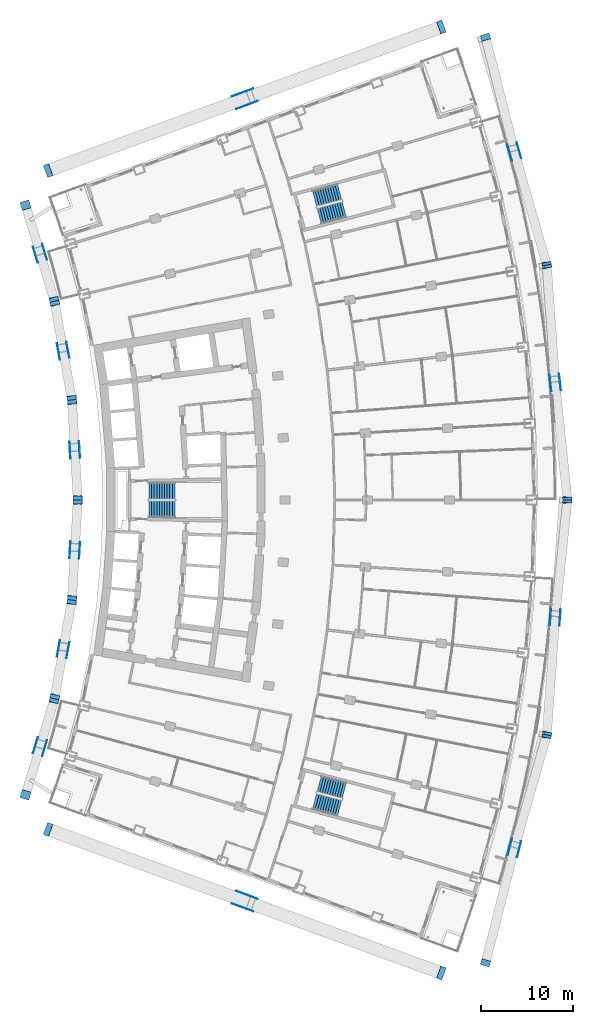
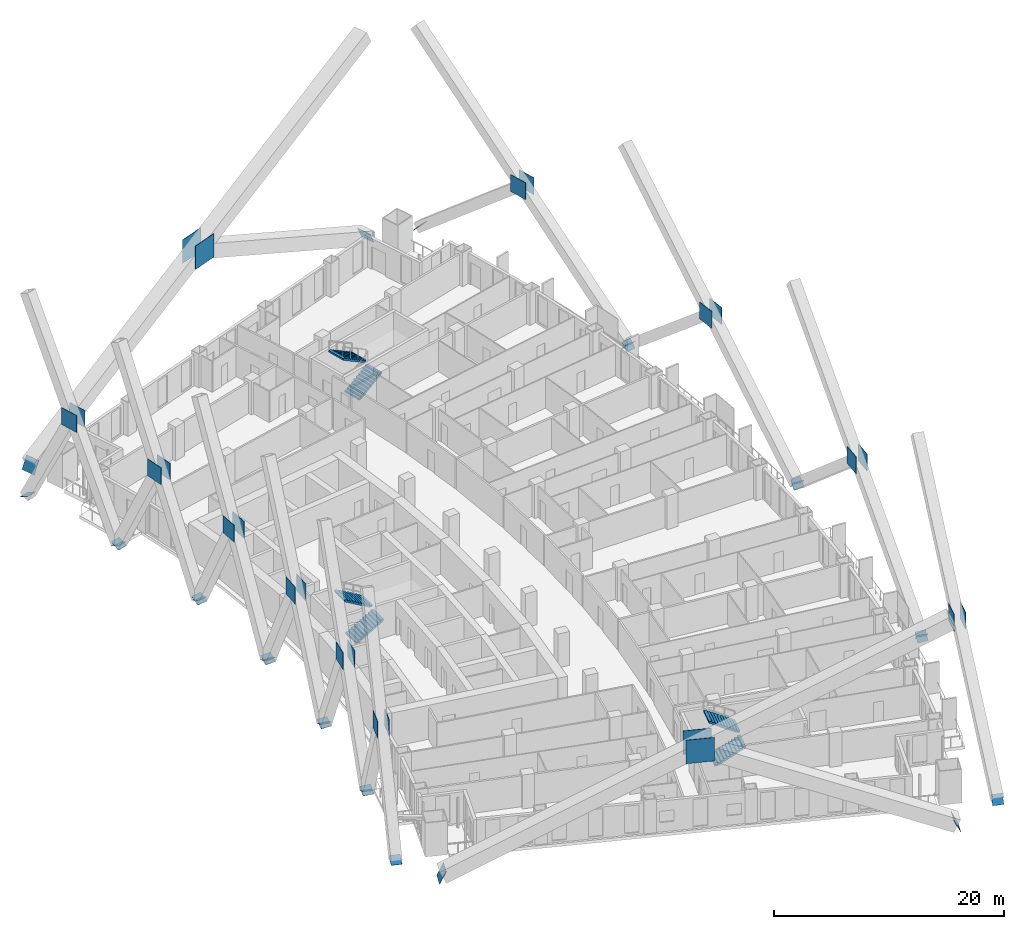
# One storey, part 20 of 23: 48 discrete accessories, 6 stair flights, 3 elements without a shape of their own.
"""IFC4 building model written with IfcOpenShell, lengths in metres."""

from ifc_helpers import new_model, si_unit, direction, frame, origin, origin_2d, place, context, subcontext, project, spatial, polyline, rectangle, outline, extrude, material, layer, layer_set, material_profile, profile_set, type_object, element, aggregate, save


model = new_model("IFC4")

# Units and contexts
model_context = context("Model", 3, precision=1e-05, world=origin(), true_north=direction((0.0, 1.0)))
body_context = subcontext(model_context, "Body", "Model", "MODEL_VIEW")
ifc_project = project(units=[si_unit("LENGTHUNIT", "METRE"), si_unit("AREAUNIT", "SQUARE_METRE"), si_unit("VOLUMEUNIT", "CUBIC_METRE"), si_unit("PLANEANGLEUNIT", "RADIAN"), si_unit("MASSUNIT", "GRAM", prefix="KILO")], contexts=[model_context])

# Site, building, storey
site_placement = place(None, origin())
site = spatial("IfcSite", under=ifc_project, at=site_placement, CompositionType="ELEMENT")
building_placement = place(site_placement, origin())
building = spatial("IfcBuilding", under=site, at=building_placement, Name="Alderwake Tower", CompositionType="ELEMENT")
storey_placement = place(building_placement, frame((0.0, 0.0, 53.60009765625)))
storey = spatial("IfcBuildingStorey", under=building, at=storey_placement, Name="L12", CompositionType="ELEMENT", Elevation=53.60009765625)

# Stair, stair flights
ifc_material_1 = material(Name="Concrete C40/50", Category="concrete")
stair_type = type_object("IfcStairType", Name="Core exit stair", PredefinedType="HALF_TURN_STAIR", material=ifc_material_1)
stair_1_placement = place(storey_placement, origin())
stair_1 = element("IfcStair", 1, at=stair_1_placement, inside=storey, type_object=stair_type, Name="L12 Exit Stair B", PredefinedType="HALF_TURN_STAIR")
ifc_material_2 = material(Name="Concrete C40/50", Category="concrete")
ifc_layer = layer(ifc_material_2, 0.14990234375)
ifc_layer_set = layer_set([ifc_layer], Name="Core stair flight")
stair_flight_type = type_object("IfcStairFlightType", Name="Core stair flight", PredefinedType="STRAIGHT", material=ifc_layer_set)
stair_flight_1_placement = place(storey_placement, frame((21.0400390625, 60.02490234375, 0.0), z_axis=(0.0, 0.0, 1.0), x_axis=(1.0, 0.0, 0.0)))
stair_flight_1 = element("IfcStairFlight", 2, at=stair_flight_1_placement, type_object=stair_flight_type, Name="ST-B flight 1", NumberOfRisers=11, NumberOfTreads=10, PredefinedType="STRAIGHT", RiserHeight=0.163636364, TreadLength=0.28, context=body_context, shape_type="SweptSolid", body=[
    extrude(outline(polyline([(0.0, 0.0), (0.0, 0.16357421875), (0.280029296875, 0.16357421875), (0.280029296875, 0.327392578125), (0.56005859375, 0.327392578125), (0.56005859375, 0.490966796875), (0.840087890625, 0.490966796875), (0.840087890625, 0.654541015625), (1.1201171875, 0.654541015625), (1.1201171875, 0.818115234375), (1.39990234375, 0.818115234375), (1.39990234375, 0.98193359375), (1.679931640625, 0.98193359375), (1.679931640625, 1.1455078125), (1.9599609375, 1.1455078125), (1.9599609375, 1.30908203125), (2.239990234375, 1.30908203125), (2.239990234375, 1.47265625), (2.52001953125, 1.47265625), (2.52001953125, 1.636474609375), (2.800048828125, 1.636474609375), (2.800048828125, 1.800048828125), (2.800048828125, 1.462646484375), (0.297119140625, 0.0), (0.0, 0.0)])), frame((0.0, 0.89990234375, 0.0), z_axis=(0.0, -1.0, 0.0), x_axis=(1.0, 0.0, 0.0)), (0.0, 0.0, 1.0), 1.800048828125),
])
stair_flight_2_placement = place(storey_placement, frame((23.840087890625, 61.97509765625, 1.7998046875), z_axis=(0.0, 0.0, 1.0), x_axis=(-1.0, 0.0, 0.0)))
stair_flight_2 = element("IfcStairFlight", 3, at=stair_flight_2_placement, type_object=stair_flight_type, Name="ST-B flight 2", NumberOfRisers=11, NumberOfTreads=10, PredefinedType="STRAIGHT", RiserHeight=0.163636364, TreadLength=0.28, context=body_context, shape_type="SweptSolid", body=[
    extrude(outline(polyline([(0.0, 0.0), (0.0, 0.16357421875), (0.280029296875, 0.16357421875), (0.280029296875, 0.327392578125), (0.56005859375, 0.327392578125), (0.56005859375, 0.490966796875), (0.840087890625, 0.490966796875), (0.840087890625, 0.654541015625), (1.1201171875, 0.654541015625), (1.1201171875, 0.818115234375), (1.39990234375, 0.818115234375), (1.39990234375, 0.98193359375), (1.679931640625, 0.98193359375), (1.679931640625, 1.1455078125), (1.9599609375, 1.1455078125), (1.9599609375, 1.30908203125), (2.239990234375, 1.30908203125), (2.239990234375, 1.47265625), (2.52001953125, 1.47265625), (2.52001953125, 1.636474609375), (2.800048828125, 1.636474609375), (2.800048828125, 1.800048828125), (2.800048828125, 1.462646484375), (0.297119140625, 0.0), (0.0, 0.0)])), frame((0.0, 0.89990234375, 0.0), z_axis=(0.0, -1.0, 0.0), x_axis=(1.0, 0.0, 0.0)), (0.0, 0.0, 1.0), 1.800048828125),
])
aggregate(stair_1, [stair_flight_1, stair_flight_2])

stair_2_placement = place(storey_placement, origin())
stair_2 = element("IfcStair", 4, at=stair_2_placement, inside=storey, type_object=stair_type, Name="L12 Exit Stair A", PredefinedType="HALF_TURN_STAIR")
stair_flight_3_placement = place(storey_placement, frame((39.512939453125, 91.823974609375, 0.0), z_axis=(0.0, 0.0, 1.0), x_axis=(0.966309627437, 0.257382407951, 0.0)))
stair_flight_3 = element("IfcStairFlight", 5, at=stair_flight_3_placement, type_object=stair_flight_type, Name="ST-A flight 1", NumberOfRisers=11, NumberOfTreads=10, PredefinedType="STRAIGHT", RiserHeight=0.163636364, TreadLength=0.28, context=body_context, shape_type="SweptSolid", body=[
    extrude(outline(polyline([(0.0, 0.0), (0.0, 0.16357421875), (0.280029296875, 0.16357421875), (0.280029296875, 0.327392578125), (0.56005859375, 0.327392578125), (0.56005859375, 0.490966796875), (0.840087890625, 0.490966796875), (0.840087890625, 0.654541015625), (1.1201171875, 0.654541015625), (1.1201171875, 0.818115234375), (1.39990234375, 0.818115234375), (1.39990234375, 0.98193359375), (1.679931640625, 0.98193359375), (1.679931640625, 1.1455078125), (1.9599609375, 1.1455078125), (1.9599609375, 1.30908203125), (2.239990234375, 1.30908203125), (2.239990234375, 1.47265625), (2.52001953125, 1.47265625), (2.52001953125, 1.636474609375), (2.800048828125, 1.636474609375), (2.800048828125, 1.800048828125), (2.800048828125, 1.462646484375), (0.297119140625, 0.0), (0.0, 0.0)])), frame((0.0, 0.89990234375, 0.0), z_axis=(0.0, -1.0, 0.0), x_axis=(1.0, 0.0, 0.0)), (0.0, 0.0, 1.0), 1.800048828125),
])
stair_flight_4_placement = place(storey_placement, frame((41.716796875, 94.428955078125, 1.7998046875), z_axis=(0.0, 0.0, 1.0), x_axis=(-0.966309627437, -0.257382407951, 0.0)))
stair_flight_4 = element("IfcStairFlight", 6, at=stair_flight_4_placement, type_object=stair_flight_type, Name="ST-A flight 2", NumberOfRisers=11, NumberOfTreads=10, PredefinedType="STRAIGHT", RiserHeight=0.163636364, TreadLength=0.28, context=body_context, shape_type="SweptSolid", body=[
    extrude(outline(polyline([(0.0, 0.0), (0.0, 0.16357421875), (0.280029296875, 0.16357421875), (0.280029296875, 0.327392578125), (0.56005859375, 0.327392578125), (0.56005859375, 0.490966796875), (0.840087890625, 0.490966796875), (0.840087890625, 0.654541015625), (1.1201171875, 0.654541015625), (1.1201171875, 0.818115234375), (1.39990234375, 0.818115234375), (1.39990234375, 0.98193359375), (1.679931640625, 0.98193359375), (1.679931640625, 1.1455078125), (1.9599609375, 1.1455078125), (1.9599609375, 1.30908203125), (2.239990234375, 1.30908203125), (2.239990234375, 1.47265625), (2.52001953125, 1.47265625), (2.52001953125, 1.636474609375), (2.800048828125, 1.636474609375), (2.800048828125, 1.800048828125), (2.800048828125, 1.462646484375), (0.297119140625, 0.0), (0.0, 0.0)])), frame((0.0, 0.89990234375, 0.0), z_axis=(0.0, -1.0, 0.0), x_axis=(1.0, 0.0, 0.0)), (0.0, 0.0, 1.0), 1.800048828125),
])
aggregate(stair_2, [stair_flight_3, stair_flight_4])

stair_3_placement = place(storey_placement, origin())
stair_3 = element("IfcStair", 7, at=stair_3_placement, inside=storey, type_object=stair_type, Name="L12 Exit Stair C", PredefinedType="HALF_TURN_STAIR")
stair_flight_5_placement = place(storey_placement, frame((39.010986328125, 28.291748046875, 0.0), z_axis=(0.0, 0.0, 1.0), x_axis=(0.966309627437, -0.257382407951, 0.0)))
stair_flight_5 = element("IfcStairFlight", 8, at=stair_flight_5_placement, type_object=stair_flight_type, Name="ST-C flight 1", NumberOfRisers=11, NumberOfTreads=10, PredefinedType="STRAIGHT", RiserHeight=0.163636364, TreadLength=0.28, context=body_context, shape_type="SweptSolid", body=[
    extrude(outline(polyline([(0.0, 0.0), (0.0, 0.16357421875), (0.280029296875, 0.16357421875), (0.280029296875, 0.327392578125), (0.56005859375, 0.327392578125), (0.56005859375, 0.490966796875), (0.840087890625, 0.490966796875), (0.840087890625, 0.654541015625), (1.1201171875, 0.654541015625), (1.1201171875, 0.818115234375), (1.39990234375, 0.818115234375), (1.39990234375, 0.98193359375), (1.679931640625, 0.98193359375), (1.679931640625, 1.1455078125), (1.9599609375, 1.1455078125), (1.9599609375, 1.30908203125), (2.239990234375, 1.30908203125), (2.239990234375, 1.47265625), (2.52001953125, 1.47265625), (2.52001953125, 1.636474609375), (2.800048828125, 1.636474609375), (2.800048828125, 1.800048828125), (2.800048828125, 1.462646484375), (0.297119140625, 0.0), (0.0, 0.0)])), frame((0.0, 0.89990234375, 0.0), z_axis=(0.0, -1.0, 0.0), x_axis=(1.0, 0.0, 0.0)), (0.0, 0.0, 1.0), 1.800048828125),
])
stair_flight_6_placement = place(storey_placement, frame((42.218505859375, 29.455322265625, 1.7998046875), z_axis=(0.0, 0.0, 1.0), x_axis=(-0.966309627437, 0.257382407951, 0.0)))
stair_flight_6 = element("IfcStairFlight", 9, at=stair_flight_6_placement, type_object=stair_flight_type, Name="ST-C flight 2", NumberOfRisers=11, NumberOfTreads=10, PredefinedType="STRAIGHT", RiserHeight=0.163636364, TreadLength=0.28, context=body_context, shape_type="SweptSolid", body=[
    extrude(outline(polyline([(0.0, 0.0), (0.0, 0.16357421875), (0.280029296875, 0.16357421875), (0.280029296875, 0.327392578125), (0.56005859375, 0.327392578125), (0.56005859375, 0.490966796875), (0.840087890625, 0.490966796875), (0.840087890625, 0.654541015625), (1.1201171875, 0.654541015625), (1.1201171875, 0.818115234375), (1.39990234375, 0.818115234375), (1.39990234375, 0.98193359375), (1.679931640625, 0.98193359375), (1.679931640625, 1.1455078125), (1.9599609375, 1.1455078125), (1.9599609375, 1.30908203125), (2.239990234375, 1.30908203125), (2.239990234375, 1.47265625), (2.52001953125, 1.47265625), (2.52001953125, 1.636474609375), (2.800048828125, 1.636474609375), (2.800048828125, 1.800048828125), (2.800048828125, 1.462646484375), (0.297119140625, 0.0), (0.0, 0.0)])), frame((0.0, 0.89990234375, 0.0), z_axis=(0.0, -1.0, 0.0), x_axis=(1.0, 0.0, 0.0)), (0.0, 0.0, 1.0), 1.800048828125),
])
aggregate(stair_3, [stair_flight_5, stair_flight_6])

# Discrete accessories
ifc_material_3 = material(Name="Steel ASTM A572 Grade 50", Category="steel")
ifc_material_profile_1 = material_profile(ifc_material_3, rectangle(XDim=1.0, YDim=1.0, at=origin_2d()), Name="BOX 1000X1000X60 cap")
ifc_profile_set_1 = profile_set([ifc_material_profile_1], Name="Steel ASTM A572 Grade 50")
discrete_accessory_type_1 = type_object("IfcDiscreteAccessoryType", Name="End cap plate BOX 1000X1000X60", PredefinedType="USERDEFINED", material=ifc_profile_set_1)
discrete_accessory_1_placement = place(storey_placement, frame((64.21142578125, 35.502197265625, 0.0), z_axis=(0.179593332729, 0.742863330832, 0.644903331162), x_axis=(-0.971998136057, 0.234988560365, 0.0)))
element("IfcDiscreteAccessory", 10, at=discrete_accessory_1_placement, inside=storey, type_object=discrete_accessory_type_1, Name="End cap BRF1.1.1A N", ObjectType="END CAP", PredefinedType="USERDEFINED", context=body_context, shape_type="SweptSolid", body=[
    extrude(rectangle(XDim=1.0, YDim=1.0, at=origin_2d()), origin(), (0.0, 0.0, 1.0), 0.02978515625),
])
for number, where, z_axis, x_axis, name in (
    (11, (57.5693359375, 10.783203125, 0.0), (-0.219941477406, -0.733138258022, 0.64353247093), (0.957826285221, -0.287347885566, 0.0), "End cap BRF1.1.1B2 N"),
    (12, (66.4482421875, 61.0, 0.0), (0.040686728542, 0.764910496598, 0.642850310971), (-0.998588327595, 0.053116400404, 0.0), "End cap BRF1.1.4A N"),
    (13, (64.21142578125, 35.502197265625, 0.0), (-0.089781709975, -0.759063547969, 0.644795917092), (0.993077521975, -0.117460782169, 0.0), "End cap BRF1.1.4B2 N"),
    (14, (64.21142578125, 86.497802734375, 0.0), (-0.089781709975, 0.759063547969, 0.644795917092), (-0.993077521975, -0.117460782169, 0.0), "End cap BRF1.1.7A N"),
    (15, (66.4482421875, 61.0, 0.0), (0.040686728542, -0.764910496598, 0.642850310971), (0.998588327595, 0.053116400404, 0.0), "End cap BRF1.1.7B2 N"),
    (16, (57.5693359375, 111.216796875, 0.0), (-0.219941477406, 0.733138258022, 0.64353247093), (-0.957826285221, -0.287347885566, 0.0), "End cap BRF1.1.10A N"),
):
    element("IfcDiscreteAccessory", number, at=place(storey_placement, frame(where, z_axis=z_axis, x_axis=x_axis)), inside=storey, type_object=discrete_accessory_type_1, Name=name, ObjectType="END CAP", PredefinedType="USERDEFINED", context=body_context, shape_type="SweptSolid", body=[
        extrude(rectangle(XDim=1.0, YDim=1.0, at=origin_2d()), origin(), (0.0, 0.0, 1.0), 0.030029296875),
    ])
for number, where, z_axis, x_axis, name in (
    (17, (64.21142578125, 86.497802734375, 0.0), (0.179593332729, -0.742863330832, 0.644903331162), (0.971998136057, 0.234988560365, 0.0), "End cap BRF1.1.10B2 N"),
    (18, (10.771728515625, 39.427001953125, 0.0), (0.130875240782, 0.433524235091, 0.891587577829), (-0.957327710787, 0.289004591936, 0.0), "End cap BRR1.1.1A N"),
    (19, (7.6435546875, 29.007568359375, 0.0), (-0.130875240782, -0.433524235091, 0.891587577829), (0.957327710787, -0.289004591936, 0.0), "End cap BRR1.1.1B2 N"),
    (20, (12.665771484375, 50.1396484375, 0.0), (0.081633333059, 0.448983331822, 0.889803330338), (-0.9838699101, 0.1788854382, 0.0), "End cap BRR1.1.3A N"),
    (21, (10.771728515625, 39.427001953125, 0.0), (-0.081931440599, -0.442429779233, 0.893052702526), (0.983282004984, -0.182089260182, 0.0), "End cap BRR1.1.3B2 N"),
    (22, (13.300048828125, 61.0, 0.0), (0.024564595996, 0.450350926601, 0.892513654536), (-0.998515707931, 0.05446449316, 0.0), "End cap BRR1.1.5A N"),
    (23, (12.665771484375, 50.1396484375, 0.0), (-0.024564595996, -0.450350926601, 0.892513654536), (0.998515707931, -0.05446449316, 0.0), "End cap BRR1.1.5B2 N"),
    (24, (12.665771484375, 71.8603515625, 0.0), (-0.024564595996, 0.450350926601, 0.892513654536), (-0.998515707931, -0.05446449316, 0.0), "End cap BRR1.1.7A N"),
    (25, (13.300048828125, 61.0, 0.0), (0.024564595996, -0.450350926601, 0.892513654536), (0.998515707931, 0.05446449316, 0.0), "End cap BRR1.1.7B2 N"),
    (26, (10.771728515625, 82.572998046875, 0.0), (-0.081931440599, 0.442429779233, 0.893052702526), (-0.983282004984, -0.182089260182, 0.0), "End cap BRR1.1.9A N"),
    (27, (12.665771484375, 71.8603515625, 0.0), (0.081633333059, -0.448983331822, 0.889803330338), (0.9838699101, 0.1788854382, 0.0), "End cap BRR1.1.9B2 N"),
    (28, (7.6435546875, 92.992431640625, 0.0), (-0.130875240782, 0.433524235091, 0.891587577829), (-0.957327710787, -0.289004591936, 0.0), "End cap BRR1.1.11A N"),
    (29, (10.771728515625, 82.572998046875, 0.0), (0.130875240782, -0.433524235091, 0.891587577829), (0.957327710787, 0.289004591936, 0.0), "End cap BRR1.1.11B2 N"),
):
    element("IfcDiscreteAccessory", number, at=place(storey_placement, frame(where, z_axis=z_axis, x_axis=x_axis)), inside=storey, type_object=discrete_accessory_type_1, Name=name, ObjectType="END CAP", PredefinedType="USERDEFINED", context=body_context, shape_type="SweptSolid", body=[
        extrude(rectangle(XDim=1.0, YDim=1.0, at=origin_2d()), origin(), (0.0, 0.0, 1.0), 0.02978515625),
    ])
ifc_material_4 = material(Name="Steel ASTM A572 Grade 50", Category="steel")
ifc_material_profile_2 = material_profile(ifc_material_4, rectangle(XDim=1.39990234375, YDim=1.39990234375, at=origin_2d()), Name="BOX 1400X1400X80 cap")
ifc_profile_set_2 = profile_set([ifc_material_profile_2], Name="Steel ASTM A572 Grade 50")
discrete_accessory_type_2 = type_object("IfcDiscreteAccessoryType", Name="End cap plate BOX 1400X1400X80", PredefinedType="USERDEFINED", material=ifc_profile_set_2)
for number, where, z_axis, x_axis, name in (
    (30, (52.746826171875, 9.669189453125, 0.0), (0.850177269752, -0.310641694717, 0.425088634876), (0.343192952924, 0.939264923791, 0.0), "End cap BRS1.1.0A N"),
    (31, (10.099365234375, 25.23681640625, 0.0), (-0.850177269752, 0.310641694717, 0.425088634876), (-0.343192952924, -0.939264923791, 0.0), "End cap BRS1.1.0B2 N"),
    (32, (52.746826171875, 112.330810546875, 0.0), (0.850177269752, 0.310641694717, 0.425088634876), (-0.343192952924, 0.939264923791, 0.0), "End cap BRN1.1.0A N"),
    (33, (10.099365234375, 96.76318359375, 0.0), (-0.850177269752, -0.310641694717, 0.425088634876), (0.343192952924, -0.939264923791, 0.0), "End cap BRN1.1.0B2 N"),
):
    element("IfcDiscreteAccessory", number, at=place(storey_placement, frame(where, z_axis=z_axis, x_axis=x_axis)), inside=storey, type_object=discrete_accessory_type_2, Name=name, ObjectType="END CAP", PredefinedType="USERDEFINED", context=body_context, shape_type="SweptSolid", body=[
        extrude(rectangle(XDim=1.39990234375, YDim=1.39990234375, at=origin_2d()), origin(), (0.0, 0.0, 1.0), 0.02978515625),
    ])
ifc_material_5 = material(Name="Steel ASTM A572 Grade 50", Category="steel")
ifc_material_profile_3 = material_profile(ifc_material_5, rectangle(XDim=1.800048828125, YDim=1.800048828125, at=origin_2d()), Name="gusset 1800X1800")
ifc_profile_set_3 = profile_set([ifc_material_profile_3], Name="Steel ASTM A572 Grade 50")
discrete_accessory_type_3 = type_object("IfcDiscreteAccessoryType", Name="Gusset plate 1800X1800X40", PredefinedType="USERDEFINED", material=ifc_profile_set_3)
for number, where, z_axis, x_axis, name in (
    (34, (61.1865234375, 23.08935546875, 10.7998046875), (0.969782658548, -0.243970480138, 0.0), (0.243970480138, 0.969782658548, 0.0), "Gusset plate BRF1.2.1B outer"),
    (35, (60.217041015625, 23.333740234375, 10.7998046875), (-0.969782658548, 0.243970480138, 0.0), (-0.243970480138, -0.969782658548, 0.0), "Gusset plate BRF1.2.1B inner"),
):
    element("IfcDiscreteAccessory", number, at=place(storey_placement, frame(where, z_axis=z_axis, x_axis=x_axis)), inside=storey, type_object=discrete_accessory_type_3, Name=name, ObjectType="GUSSET PLATE", PredefinedType="USERDEFINED", context=body_context, shape_type="SweptSolid", body=[
        extrude(rectangle(XDim=1.800048828125, YDim=1.800048828125, at=origin_2d()), origin(), (0.0, 0.0, 1.0), 0.0400390625),
    ])
for number, where, z_axis, x_axis, name in (
    (36, (65.630859375, 48.250244140625, 10.7998046875), (0.997301040923, -0.073420935528, 0.0), (0.073420935528, 0.997301040923, 0.0), "Gusset plate BRF1.2.4B outer"),
    (37, (64.63330078125, 48.322021484375, 10.7998046875), (-0.997730658465, 0.067331516829, 0.0), (-0.067331516829, -0.997730658465, 0.0), "Gusset plate BRF1.2.4B inner"),
):
    element("IfcDiscreteAccessory", number, at=place(storey_placement, frame(where, z_axis=z_axis, x_axis=x_axis)), inside=storey, type_object=discrete_accessory_type_3, Name=name, ObjectType="GUSSET PLATE", PredefinedType="USERDEFINED", context=body_context, shape_type="SweptSolid", body=[
        extrude(rectangle(XDim=1.800048828125, YDim=1.800048828125, at=origin_2d()), origin(), (0.0, 0.0, 1.0), 0.039794921875),
    ])
for number, where, z_axis, x_axis, name in (
    (38, (65.62646484375, 73.80029296875, 10.7998046875), (0.99460530117, 0.103731841226, 0.0), (-0.103731841226, 0.99460530117, 0.0), "Gusset plate BRF1.2.7B outer"),
    (39, (64.631591796875, 73.697509765625, 10.7998046875), (-0.99460530117, -0.103731841226, 0.0), (0.103731841226, -0.99460530117, 0.0), "Gusset plate BRF1.2.7B inner"),
):
    element("IfcDiscreteAccessory", number, at=place(storey_placement, frame(where, z_axis=z_axis, x_axis=x_axis)), inside=storey, type_object=discrete_accessory_type_3, Name=name, ObjectType="GUSSET PLATE", PredefinedType="USERDEFINED", context=body_context, shape_type="SweptSolid", body=[
        extrude(rectangle(XDim=1.800048828125, YDim=1.800048828125, at=origin_2d()), origin(), (0.0, 0.0, 1.0), 0.0400390625),
    ])
discrete_accessory_2_placement = place(storey_placement, frame((61.173583984375, 98.959716796875, 10.7998046875), z_axis=(0.961292555402, 0.275529713332, 0.0), x_axis=(-0.275529713332, 0.961292555402, 0.0)))
element("IfcDiscreteAccessory", 40, at=discrete_accessory_2_placement, inside=storey, type_object=discrete_accessory_type_3, Name="Gusset plate BRF1.2.10B outer", ObjectType="GUSSET PLATE", PredefinedType="USERDEFINED", context=body_context, shape_type="SweptSolid", body=[
    extrude(rectangle(XDim=1.800048828125, YDim=1.800048828125, at=origin_2d()), origin(), (0.0, 0.0, 1.0), 0.039794921875),
])
for number, where, z_axis, x_axis, name in (
    (41, (60.2119140625, 98.68505859375, 10.7998046875), (-0.961753311401, -0.273917082361, 0.0), (0.273917082361, -0.961753311401, 0.0), "Gusset plate BRF1.2.10B inner"),
    (42, (9.6865234375, 34.073486328125, 10.7998046875), (0.95799406309, -0.286788031626, 0.0), (0.286788031626, 0.95799406309, 0.0), "Gusset plate BRR1.2.1B outer"),
    (43, (8.728759765625, 34.361083984375, 10.7998046875), (-0.95799406309, 0.286788031626, 0.0), (-0.286788031626, -0.95799406309, 0.0), "Gusset plate BRR1.2.1B inner"),
    (44, (12.211181640625, 44.6962890625, 10.7998046875), (0.984162001364, -0.177271416395, 0.0), (0.177271416395, 0.984162001364, 0.0), "Gusset plate BRR1.2.3B outer"),
    (45, (11.226318359375, 44.870361328125, 10.7998046875), (-0.984162001364, 0.177271416395, 0.0), (-0.177271416395, -0.984162001364, 0.0), "Gusset plate BRR1.2.3B inner"),
    (46, (13.48193359375, 55.540771484375, 10.7998046875), (0.998146155389, -0.060862570451, 0.0), (0.060862570451, 0.998146155389, 0.0), "Gusset plate BRR1.2.5B outer"),
    (47, (12.48388671875, 55.59912109375, 10.7998046875), (-0.998497592519, 0.054795599589, 0.0), (-0.054795599589, -0.998497592519, 0.0), "Gusset plate BRR1.2.5B inner"),
    (48, (13.48193359375, 66.459228515625, 10.7998046875), (0.998146155389, 0.060862570451, 0.0), (-0.060862570451, 0.998146155389, 0.0), "Gusset plate BRR1.2.7B outer"),
    (49, (12.48388671875, 66.40087890625, 10.7998046875), (-0.998497592519, -0.054795599589, 0.0), (0.054795599589, -0.998497592519, 0.0), "Gusset plate BRR1.2.7B inner"),
    (50, (12.211181640625, 77.3037109375, 10.7998046875), (0.984162001364, 0.177271416395, 0.0), (-0.177271416395, 0.984162001364, 0.0), "Gusset plate BRR1.2.9B outer"),
    (51, (11.226318359375, 77.129638671875, 10.7998046875), (-0.984162001364, -0.177271416395, 0.0), (0.177271416395, -0.984162001364, 0.0), "Gusset plate BRR1.2.9B inner"),
    (52, (9.6865234375, 87.926513671875, 10.7998046875), (0.95799406309, 0.286788031626, 0.0), (-0.286788031626, 0.95799406309, 0.0), "Gusset plate BRR1.2.11B outer"),
    (53, (8.728759765625, 87.638916015625, 10.7998046875), (-0.95799406309, -0.286788031626, 0.0), (0.286788031626, -0.95799406309, 0.0), "Gusset plate BRR1.2.11B inner"),
):
    element("IfcDiscreteAccessory", number, at=place(storey_placement, frame(where, z_axis=z_axis, x_axis=x_axis)), inside=storey, type_object=discrete_accessory_type_3, Name=name, ObjectType="GUSSET PLATE", PredefinedType="USERDEFINED", context=body_context, shape_type="SweptSolid", body=[
        extrude(rectangle(XDim=1.800048828125, YDim=1.800048828125, at=origin_2d()), origin(), (0.0, 0.0, 1.0), 0.0400390625),
    ])
ifc_material_6 = material(Name="Steel ASTM A572 Grade 50", Category="steel")
ifc_material_profile_4 = material_profile(ifc_material_6, rectangle(XDim=2.5, YDim=2.5, at=origin_2d()), Name="gusset 2500X2500")
ifc_profile_set_4 = profile_set([ifc_material_profile_4], Name="Steel ASTM A572 Grade 50")
discrete_accessory_type_4 = type_object("IfcDiscreteAccessoryType", Name="Gusset plate 2500X2500X40", PredefinedType="USERDEFINED", material=ifc_profile_set_4)
for number, where, z_axis, x_axis, name in (
    (54, (31.18310546875, 16.79541015625, 10.7998046875), (-0.341743063087, -0.939793423488, 0.0), (0.939793423488, -0.341743063087, 0.0), "Gusset plate BRS1.2.0B outer"),
    (55, (31.6630859375, 18.110595703125, 10.7998046875), (0.347116008643, 0.93782219879, 0.0), (-0.93782219879, 0.347116008643, 0.0), "Gusset plate BRS1.2.0B inner"),
    (56, (31.18310546875, 105.20458984375, 10.7998046875), (-0.341743063087, 0.939793423488, 0.0), (-0.939793423488, -0.341743063087, 0.0), "Gusset plate BRN1.2.0B outer"),
    (57, (31.6630859375, 103.889404296875, 10.7998046875), (0.347116008643, -0.93782219879, 0.0), (0.93782219879, 0.347116008643, 0.0), "Gusset plate BRN1.2.0B inner"),
):
    element("IfcDiscreteAccessory", number, at=place(storey_placement, frame(where, z_axis=z_axis, x_axis=x_axis)), inside=storey, type_object=discrete_accessory_type_4, Name=name, ObjectType="GUSSET PLATE", PredefinedType="USERDEFINED", context=body_context, shape_type="SweptSolid", body=[
        extrude(rectangle(XDim=2.5, YDim=2.5, at=origin_2d()), origin(), (0.0, 0.0, 1.0), 0.0400390625),
    ])

save(model, "model.ifc")
